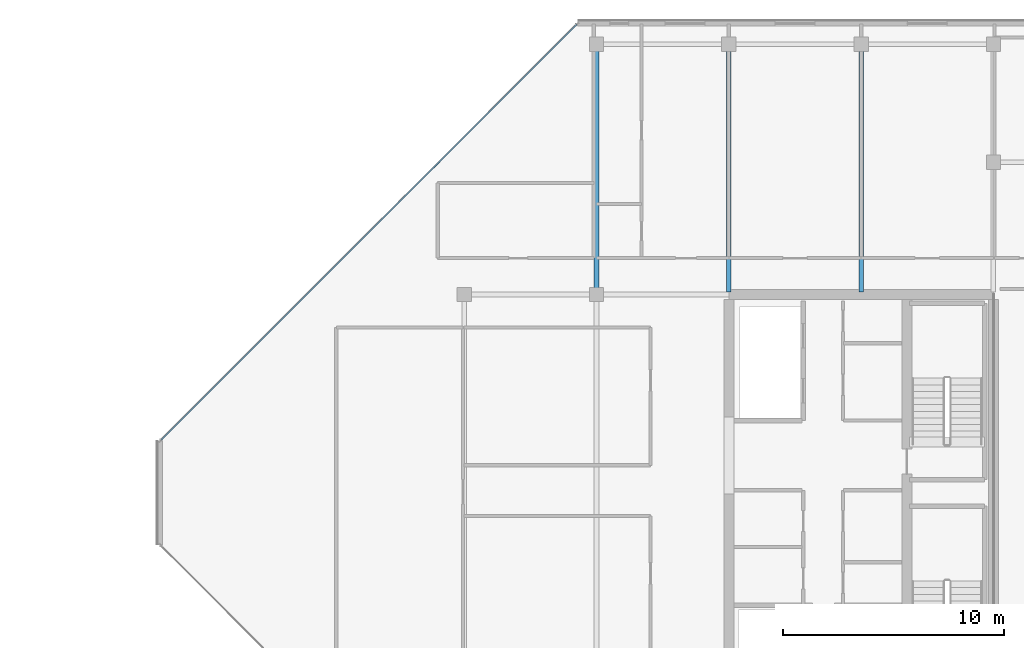
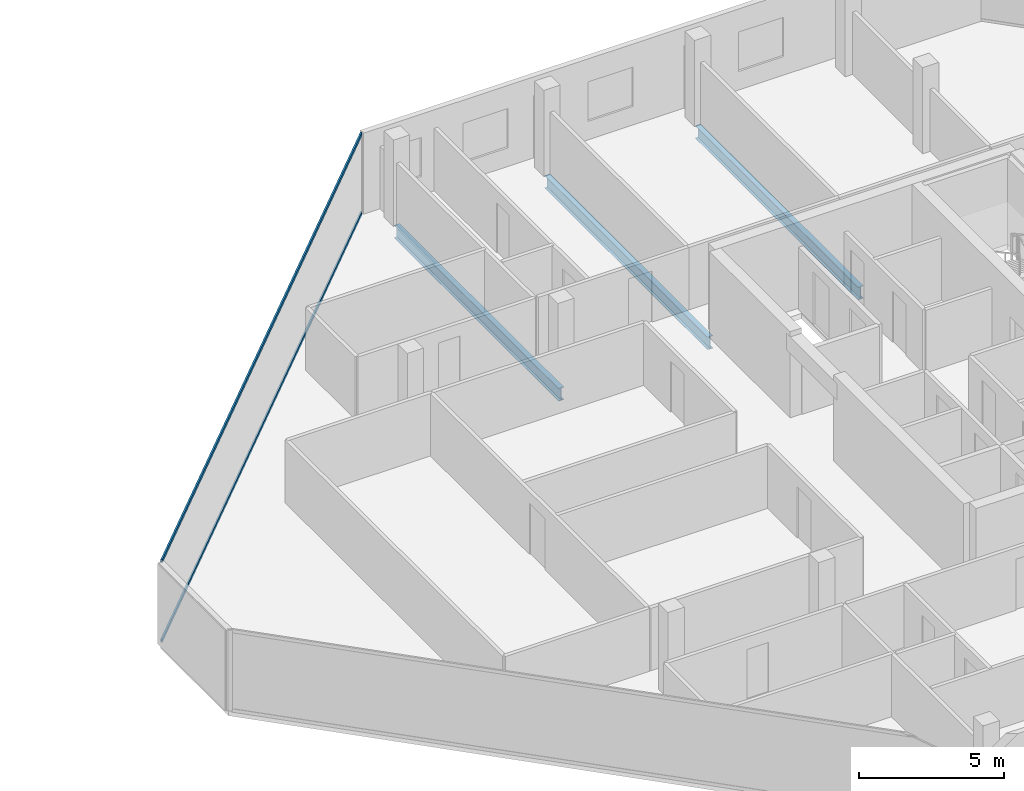
# One storey, part 13 of 28: 3 beams, 2 members, 1 element without a shape of its own.
"""IFC4 building model written with IfcOpenShell, lengths in metres."""

from ifc_helpers import new_model, si_unit, direction, frame, origin, origin_2d, place, context, subcontext, project, spatial, hollow_rectangle, i_section, extrude, material, layer, layer_set, material_profile, profile_set, type_object, element, aggregate, save


model = new_model("IFC4")

# Units and contexts
model_context = context("Model", 3, precision=1e-05, world=origin(), true_north=direction((0.0, 1.0)))
body_context = subcontext(model_context, "Body", "Model", "MODEL_VIEW")
ifc_project = project(units=[si_unit("LENGTHUNIT", "METRE"), si_unit("AREAUNIT", "SQUARE_METRE"), si_unit("VOLUMEUNIT", "CUBIC_METRE"), si_unit("PLANEANGLEUNIT", "RADIAN"), si_unit("MASSUNIT", "GRAM", prefix="KILO")], contexts=[model_context])

# Site, building, storey
site_placement = place(None, origin())
site = spatial("IfcSite", under=ifc_project, at=site_placement, CompositionType="ELEMENT")
building_placement = place(site_placement, origin())
building = spatial("IfcBuilding", under=site, at=building_placement, Name="Tanjung Sevakor Pilgrim Tower", CompositionType="ELEMENT")
storey_placement = place(building_placement, frame((0.0, 0.0, 246.179931640625)))
storey = spatial("IfcBuildingStorey", under=building, at=storey_placement, Name="L69", CompositionType="ELEMENT", Elevation=246.179931640625)

# Beams
ifc_material_1 = material(Name="Steel S355J2", Category="steel")
ifc_material_profile_1 = material_profile(ifc_material_1, i_section(OverallWidth=0.210693359375, OverallDepth=0.53955078125, WebThickness=0.01171875, FlangeThickness=0.018798828125, FilletRadius=0.0126953125, at=origin_2d()))
ifc_profile_set_1 = profile_set([ifc_material_profile_1], Name="Steel S355J2")
beam_type = type_object("IfcBeamType", Name="BM-B-G6-UB_533x210x109", PredefinedType="BEAM", material=ifc_profile_set_1)
beam_placement = place(storey_placement, frame((72.0, 42.60009765625, -0.48974609375), z_axis=(0.0, 1.0, 0.0), x_axis=(-1.0, 0.0, 0.0)))
element("IfcBeam", 1, at=beam_placement, inside=storey, type_object=beam_type, Name="L69 EAST Girder 004", PredefinedType="BEAM", context=body_context, shape_type="SweptSolid", body=[
    extrude(i_section(OverallWidth=0.210693359375, OverallDepth=0.53955078125, WebThickness=0.01171875, FlangeThickness=0.018798828125, FilletRadius=0.0126953125, at=origin_2d()), origin(), (0.0, 0.0, 1.0), 11.349853515625),
])
for number, where, z_axis, x_axis, name in (
    (2, (78.0, 42.7060546875, -0.48974609375), (0.0, 1.0, 0.0), (-1.0, 0.0, 0.0), "L69 EAST Girder 006"),
    (3, (84.0, 42.7060546875, -0.48974609375), (0.0, 1.0, 0.0), (-1.0, 0.0, 0.0), "L69 EAST Girder 008"),
):
    element("IfcBeam", number, at=place(storey_placement, frame(where, z_axis=z_axis, x_axis=x_axis)), inside=storey, type_object=beam_type, Name=name, PredefinedType="BEAM", context=body_context, shape_type="SweptSolid", body=[
        extrude(i_section(OverallWidth=0.210693359375, OverallDepth=0.53955078125, WebThickness=0.01171875, FlangeThickness=0.018798828125, FilletRadius=0.0126953125, at=origin_2d()), origin(), (0.0, 0.0, 1.0), 11.243896484375),
    ])

# Curtain wall, members
ifc_material_2 = material(Name="Aluminium 6063-T6 and Low-E Glass", Category="aluminium")
ifc_layer = layer(ifc_material_2, 0.179931640625)
ifc_layer_set = layer_set([ifc_layer], Name="CW-SYS-CHAM")
curtain_wall_type = type_object("IfcCurtainWallType", Name="CW-SYS-CHAM", PredefinedType="NOTDEFINED", material=ifc_layer_set)
curtain_wall_placement = place(storey_placement, origin())
curtain_wall = element("IfcCurtainWall", 4, at=curtain_wall_placement, inside=storey, type_object=curtain_wall_type, Name="L69 Curtain Wall CW-CHM-L69-EAST-5", PredefinedType="NOTDEFINED")
ifc_material_3 = material(Name="Aluminium 6063-T6", Category="aluminium")
ifc_material_profile_2 = material_profile(ifc_material_3, hollow_rectangle(XDim=0.06494140625, YDim=0.139892578125, WallThickness=0.00390625, at=origin_2d()))
ifc_profile_set_2 = profile_set([ifc_material_profile_2], Name="Aluminium 6063-T6")
member_type = type_object("IfcMemberType", Name="TYPE-CWT-1", PredefinedType="USERDEFINED", material=ifc_profile_set_2)
member_1_placement = place(storey_placement, frame((71.099609375, 54.843994140625, 0.032470703125), z_axis=(-0.707106781187, -0.707106781187, 0.0), x_axis=(0.707106781187, -0.707106781187, 0.0)))
member_1 = element("IfcMember", 5, at=member_1_placement, type_object=member_type, Name="CW-CHM transom 1.1", ObjectType="TRANSOM", PredefinedType="USERDEFINED", context=body_context, shape_type="SweptSolid", body=[
    extrude(hollow_rectangle(XDim=0.06494140625, YDim=0.139892578125, WallThickness=0.00390625, at=origin_2d()), origin(), (0.0, 0.0, 1.0), 26.649169921875),
])
member_2_placement = place(storey_placement, frame((71.099609375, 54.843994140625, 3.377685546875), z_axis=(-0.707106781187, -0.707106781187, 0.0), x_axis=(0.707106781187, -0.707106781187, 0.0)))
member_2 = element("IfcMember", 6, at=member_2_placement, type_object=member_type, Name="CW-CHM transom 1.2", ObjectType="TRANSOM", PredefinedType="USERDEFINED", context=body_context, shape_type="SweptSolid", body=[
    extrude(hollow_rectangle(XDim=0.06494140625, YDim=0.139892578125, WallThickness=0.00390625, at=origin_2d()), origin(), (0.0, 0.0, 1.0), 26.649169921875),
])
aggregate(curtain_wall, [member_1, member_2])

save(model, "model.ifc")
